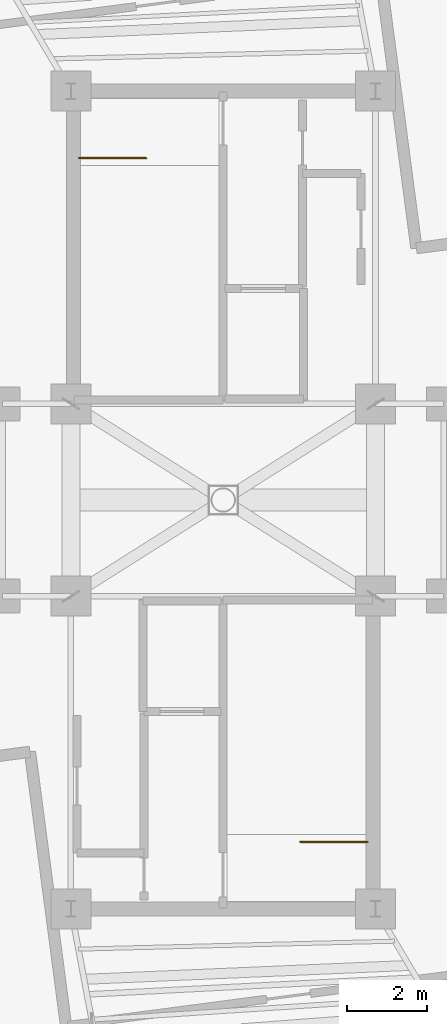
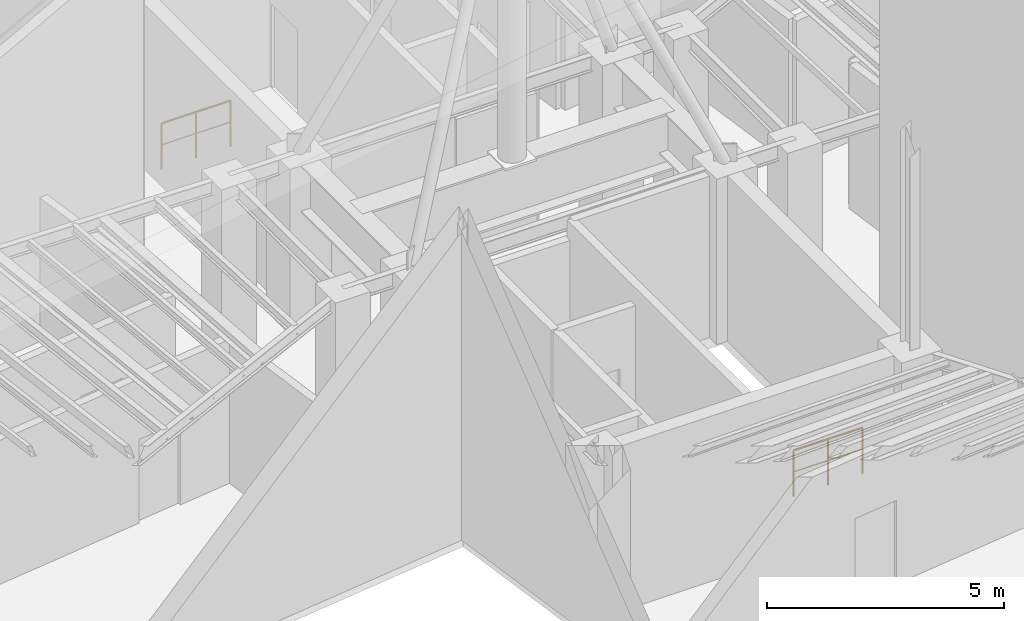
# One storey, part 8 of 8: 2 railings.
"""IFC4 building model written with IfcOpenShell, lengths in metres."""

from ifc_helpers import new_model, si_unit, direction, frame, origin, origin_2d, place, context, subcontext, project, spatial, circle, extrude, material, type_object, element, save


model = new_model("IFC4")

# Units and contexts
model_context = context("Model", 3, precision=1e-05, world=origin(), true_north=direction((0.0, 1.0)))
body_context = subcontext(model_context, "Body", "Model", "MODEL_VIEW")
ifc_project = project(units=[si_unit("LENGTHUNIT", "METRE"), si_unit("AREAUNIT", "SQUARE_METRE"), si_unit("VOLUMEUNIT", "CUBIC_METRE"), si_unit("PLANEANGLEUNIT", "RADIAN"), si_unit("MASSUNIT", "GRAM", prefix="KILO")], contexts=[model_context])

# Site, building, storey
site_placement = place(None, origin())
site = spatial("IfcSite", under=ifc_project, at=site_placement, CompositionType="ELEMENT")
building_placement = place(site_placement, origin())
building = spatial("IfcBuilding", under=site, at=building_placement, Name="Sahyath Konkavel Grand Hotel", CompositionType="ELEMENT")
storey_placement = place(building_placement, frame((0.0, 0.0, 300.300048828125)))
storey = spatial("IfcBuildingStorey", under=building, at=storey_placement, Name="L83", CompositionType="ELEMENT", Elevation=300.300048828125)

# Railings
ifc_material = material(Name="Steel E350", Category="steel")
railing_type = type_object("IfcRailingType", Name="RLG-STAIR-GRD", PredefinedType="GUARDRAIL", material=ifc_material)
railing_1_placement = place(storey_placement, frame((-3.60009765625, 8.530029296875, 0.0)))
element("IfcRailing", 1, at=railing_1_placement, inside=storey, type_object=railing_type, Name="L83 ST-1 top well guard 1", PredefinedType="GUARDRAIL", context=body_context, shape_type="SweptSolid", body=[
    extrude(circle(Radius=0.02392578125, at=origin_2d()), frame((0.001953125, 0.0, 1.17578125), z_axis=(1.0, 0.0, 0.0), x_axis=(0.0, 1.0, 0.0)), (0.0, 0.0, 1.0), 1.67626953125),
    extrude(circle(Radius=0.01416015625, at=origin_2d()), frame((0.001953125, 0.0, 0.6240234375), z_axis=(1.0, 0.0, 0.0), x_axis=(0.0, 1.0, 0.0)), (0.0, 0.0, 1.0), 1.67626953125),
    extrude(circle(Radius=0.02099609375, at=origin_2d()), origin(), (0.0, 0.0, 1.0), 1.15185546875),
    extrude(circle(Radius=0.02099609375, at=origin_2d()), frame((0.840087890625, 0.0, 0.0)), (0.0, 0.0, 1.0), 1.15185546875),
    extrude(circle(Radius=0.02099609375, at=origin_2d()), frame((1.68017578125, 0.0, 0.0)), (0.0, 0.0, 1.0), 1.15185546875),
])
railing_2_placement = place(storey_placement, frame((3.60009765625, -8.530029296875, 0.0)))
element("IfcRailing", 2, at=railing_2_placement, inside=storey, type_object=railing_type, Name="L83 ST-2 top well guard 1", PredefinedType="GUARDRAIL", context=body_context, shape_type="SweptSolid", body=[
    extrude(circle(Radius=0.02392578125, at=origin_2d()), frame((-0.001953125, 0.0, 1.17578125), z_axis=(-1.0, 0.0, 0.0), x_axis=(0.0, -1.0, 0.0)), (0.0, 0.0, 1.0), 1.67626953125),
    extrude(circle(Radius=0.01416015625, at=origin_2d()), frame((-0.001953125, 0.0, 0.6240234375), z_axis=(-1.0, 0.0, 0.0), x_axis=(0.0, -1.0, 0.0)), (0.0, 0.0, 1.0), 1.67626953125),
    extrude(circle(Radius=0.02099609375, at=origin_2d()), origin(), (0.0, 0.0, 1.0), 1.15185546875),
    extrude(circle(Radius=0.02099609375, at=origin_2d()), frame((-0.840087890625, 0.0, 0.0)), (0.0, 0.0, 1.0), 1.15185546875),
    extrude(circle(Radius=0.02099609375, at=origin_2d()), frame((-1.68017578125, 0.0, 0.0)), (0.0, 0.0, 1.0), 1.15185546875),
])

save(model, "model.ifc")
